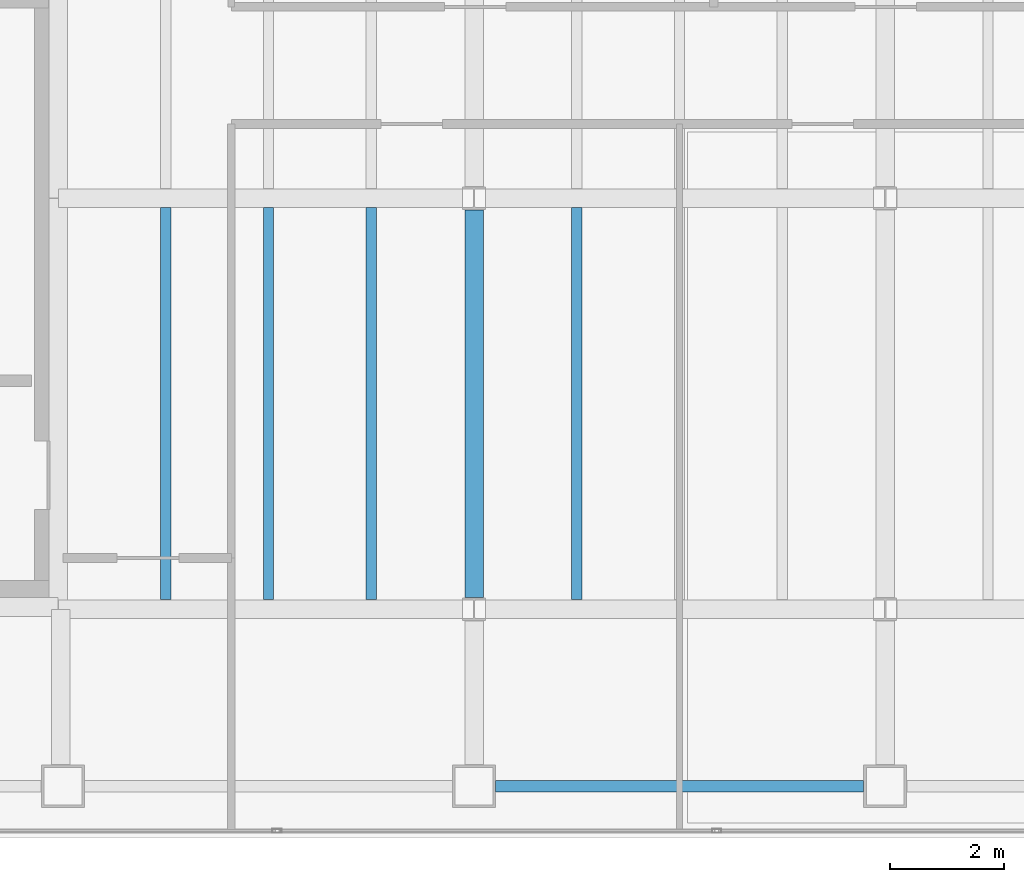
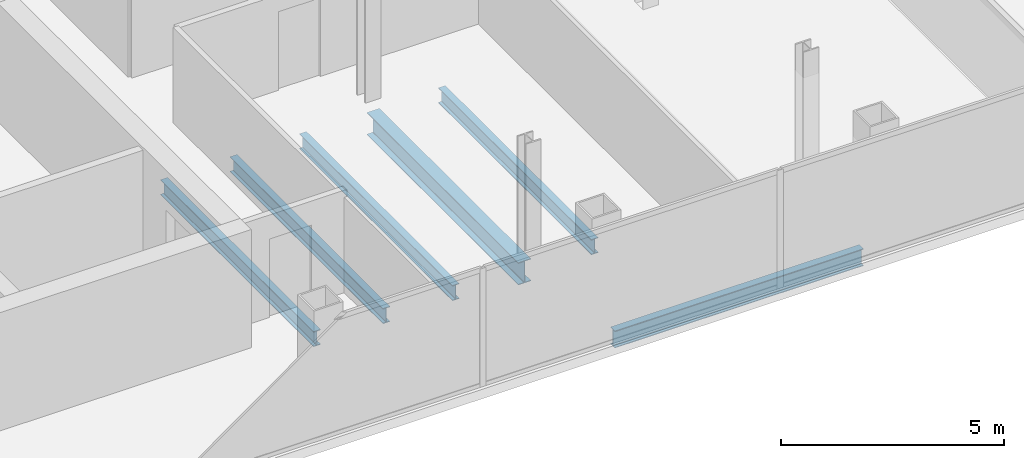
# One storey, part 5 of 23: 6 beams.
"""IFC4 building model written with IfcOpenShell, lengths in metres."""

from ifc_helpers import new_model, si_unit, direction, frame, origin, origin_2d, place, context, subcontext, project, spatial, i_section, extrude, material, material_profile, profile_set, type_object, element, save


model = new_model("IFC4")

# Units and contexts
model_context = context("Model", 3, precision=1e-05, world=origin(), true_north=direction((0.0, 1.0)))
body_context = subcontext(model_context, "Body", "Model", "MODEL_VIEW")
ifc_project = project(units=[si_unit("LENGTHUNIT", "METRE"), si_unit("AREAUNIT", "SQUARE_METRE"), si_unit("VOLUMEUNIT", "CUBIC_METRE"), si_unit("PLANEANGLEUNIT", "RADIAN"), si_unit("MASSUNIT", "GRAM", prefix="KILO")], contexts=[model_context])

# Site, building, storey
site_placement = place(None, origin())
site = spatial("IfcSite", under=ifc_project, at=site_placement, CompositionType="ELEMENT")
building_placement = place(site_placement, origin())
building = spatial("IfcBuilding", under=site, at=building_placement, Name="Cobrela Telecom Tower", CompositionType="ELEMENT")
storey_placement = place(building_placement, frame((0.0, 0.0, 208.25)))
storey = spatial("IfcBuildingStorey", under=building, at=storey_placement, Name="L53", CompositionType="ELEMENT", Elevation=208.25)

# Beams
ifc_material = material(Name="Steel ASTM A992 Grade 50", Category="steel")
ifc_material_profile_1 = material_profile(ifc_material, i_section(OverallWidth=0.324951171875, OverallDepth=0.612060546875, WebThickness=0.0126953125, FlangeThickness=0.01904296875, FilletRadius=0.014892578125, at=origin_2d()), Name="W24X104")
ifc_profile_set_1 = profile_set([ifc_material_profile_1], Name="Steel ASTM A992 Grade 50")
beam_type_1 = type_object("IfcBeamType", Name="BM-GIRD-07", PredefinedType="USERDEFINED", material=ifc_profile_set_1)
beam_1_placement = place(storey_placement, frame((21.60009765625, 7.404541015625, -0.56591796875), z_axis=(0.0, 1.0, 0.0), x_axis=(-1.0, 0.0, 0.0)))
element("IfcBeam", 1, at=beam_1_placement, inside=storey, type_object=beam_type_1, Name="L53 Primary Girder Y33", ObjectType="GIRDER", PredefinedType="USERDEFINED", context=body_context, shape_type="SweptSolid", body=[
    extrude(i_section(OverallWidth=0.324951171875, OverallDepth=0.612060546875, WebThickness=0.0126953125, FlangeThickness=0.01904296875, FilletRadius=0.014892578125, at=origin_2d()), origin(), (0.0, 0.0, 1.0), 6.791015625),
])
ifc_material_profile_2 = material_profile(ifc_material, i_section(OverallWidth=0.179931640625, OverallDepth=0.4169921875, WebThickness=0.010986328125, FlangeThickness=0.01806640625, FilletRadius=0.011962890625, at=origin_2d()), Name="W16X57")
ifc_profile_set_2 = profile_set([ifc_material_profile_2], Name="Steel ASTM A992 Grade 50")
beam_type_2 = type_object("IfcBeamType", Name="BM-JOIST-04", PredefinedType="JOIST", material=ifc_profile_set_2)
for number, where, z_axis, x_axis, name in (
    (2, (16.199951171875, 7.367431640625, -0.468505859375), (0.0, 1.0, 0.0), (-1.0, 0.0, 0.0), "L53 Secondary Composite Floor Beam J01"),
    (3, (18.0, 7.367431640625, -0.468505859375), (0.0, 1.0, 0.0), (-1.0, 0.0, 0.0), "L53 Secondary Composite Floor Beam J05"),
    (4, (19.800048828125, 7.367431640625, -0.468505859375), (0.0, 1.0, 0.0), (-1.0, 0.0, 0.0), "L53 Secondary Composite Floor Beam J09"),
    (5, (23.39990234375, 7.367431640625, -0.468505859375), (0.0, 1.0, 0.0), (-1.0, 0.0, 0.0), "L53 Secondary Composite Floor Beam J13"),
):
    element("IfcBeam", number, at=place(storey_placement, frame(where, z_axis=z_axis, x_axis=x_axis)), inside=storey, type_object=beam_type_2, Name=name, PredefinedType="JOIST", context=body_context, shape_type="SweptSolid", body=[
        extrude(i_section(OverallWidth=0.179931640625, OverallDepth=0.4169921875, WebThickness=0.010986328125, FlangeThickness=0.01806640625, FilletRadius=0.011962890625, at=origin_2d()), origin(), (0.0, 0.0, 1.0), 6.864990234375),
    ])
ifc_material_profile_3 = material_profile(ifc_material, i_section(OverallWidth=0.193115234375, OverallDepth=0.467041015625, WebThickness=0.011474609375, FlangeThickness=0.01904296875, FilletRadius=0.012939453125, at=origin_2d()), Name="W18X65")
ifc_profile_set_3 = profile_set([ifc_material_profile_3], Name="Steel ASTM A992 Grade 50")
beam_type_3 = type_object("IfcBeamType", Name="BM-SPAND-05", PredefinedType="SPANDREL", material=ifc_profile_set_3)
beam_2_placement = place(storey_placement, frame((21.97998046875, 4.10009765625, -0.493408203125), z_axis=(1.0, 0.0, 0.0), x_axis=(0.0, 1.0, 0.0)))
element("IfcBeam", 6, at=beam_2_placement, inside=storey, type_object=beam_type_3, Name="L53 Perimeter Spandrel X03", PredefinedType="SPANDREL", context=body_context, shape_type="SweptSolid", body=[
    extrude(i_section(OverallWidth=0.193115234375, OverallDepth=0.467041015625, WebThickness=0.011474609375, FlangeThickness=0.01904296875, FilletRadius=0.012939453125, at=origin_2d()), origin(), (0.0, 0.0, 1.0), 6.43994140625),
])

save(model, "model.ifc")
